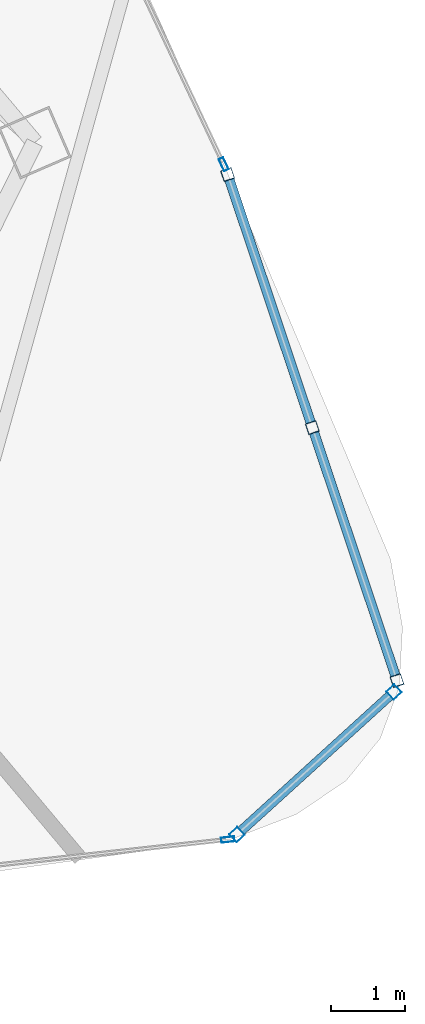
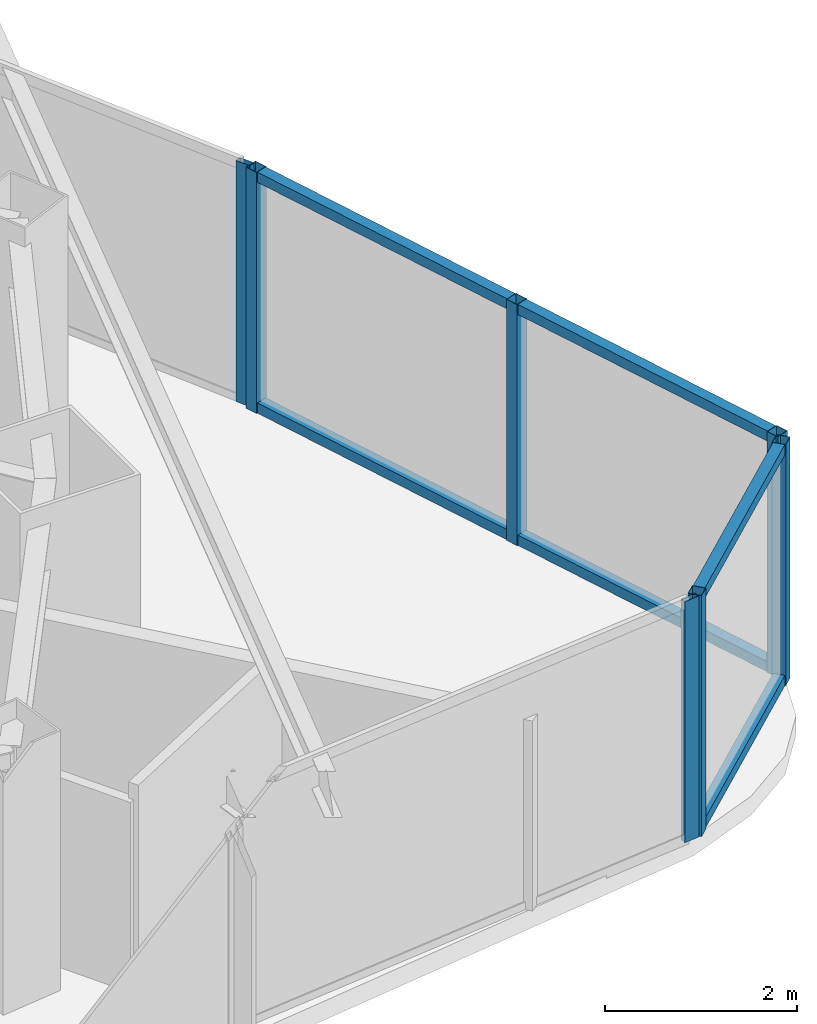
# One storey, part 15 of 31: 13 members, 4 elements without a shape of their own.
"""IFC4 building model written with IfcOpenShell, lengths in metres."""

from ifc_helpers import new_model, si_unit, direction, frame, origin, origin_2d, place, context, subcontext, project, spatial, hollow_rectangle, extrude, material, layer, layer_set, material_profile, profile_set, type_object, element, aggregate, save


model = new_model("IFC4")

# Units and contexts
model_context = context("Model", 3, precision=1e-05, world=origin(), true_north=direction((0.0, 1.0)))
body_context = subcontext(model_context, "Body", "Model", "MODEL_VIEW")
ifc_project = project(units=[si_unit("LENGTHUNIT", "METRE"), si_unit("AREAUNIT", "SQUARE_METRE"), si_unit("VOLUMEUNIT", "CUBIC_METRE"), si_unit("PLANEANGLEUNIT", "RADIAN"), si_unit("MASSUNIT", "GRAM", prefix="KILO")], contexts=[model_context])

# Site, building, storey
site_placement = place(None, origin())
site = spatial("IfcSite", under=ifc_project, at=site_placement, CompositionType="ELEMENT")
building_placement = place(site_placement, origin())
building = spatial("IfcBuilding", under=site, at=building_placement, Name="Orvanel Arch Residences", CompositionType="ELEMENT")
storey_placement = place(building_placement, frame((0.0, 0.0, 126.5)))
storey = spatial("IfcBuildingStorey", under=building, at=storey_placement, Name="L35", CompositionType="ELEMENT", Elevation=126.5)

# Curtain wall, members
ifc_material = material(Name="Bronze-anodised aluminium AA6063-T6", Category="aluminium")
ifc_layer_1 = layer(ifc_material, 0.18994140625)
ifc_layer_set_1 = layer_set([ifc_layer_1], Name="Bronze-anodised aluminium AA6063-T6")
curtain_wall_type_1 = type_object("IfcCurtainWallType", Name="CW5-CRN-SYS", PredefinedType="NOTDEFINED", material=ifc_layer_set_1)
curtain_wall_1_placement = place(storey_placement, origin())
curtain_wall_1 = element("IfcCurtainWall", 1, at=curtain_wall_1_placement, inside=storey, type_object=curtain_wall_type_1, Name="L35 CW5-CRN-SYS Unitised Curtain Wall", PredefinedType="NOTDEFINED")
ifc_material_profile_1 = material_profile(ifc_material, hollow_rectangle(XDim=0.14990234375, YDim=0.14990234375, WallThickness=0.0048828125, at=origin_2d()), Name="ALU150x150x5")
ifc_profile_set_1 = profile_set([ifc_material_profile_1], Name="Bronze-anodised aluminium AA6063-T6")
member_type_1 = type_object("IfcMemberType", Name="MUL-150x150", PredefinedType="MULLION", material=ifc_profile_set_1)
member_1_placement = place(storey_placement, frame((56.6494140625, 5.198486328125, 0.0), z_axis=(0.0, 0.0, 1.0), x_axis=(-0.672409480271, 0.740179363966, 0.0)))
member_1 = element("IfcMember", 2, at=member_1_placement, type_object=member_type_1, Name="CW-S5 mullion 1", PredefinedType="MULLION", context=body_context, shape_type="SweptSolid", body=[
    extrude(hollow_rectangle(XDim=0.14990234375, YDim=0.14990234375, WallThickness=0.0048828125, at=origin_2d()), origin(), (0.0, 0.0, 1.0), 3.06005859375),
])
member_2_placement = place(storey_placement, frame((58.777587890625, 7.131591796875, 0.0), z_axis=(0.0, 0.0, 1.0), x_axis=(-0.672409480271, 0.740179363966, 0.0)))
member_2 = element("IfcMember", 3, at=member_2_placement, type_object=member_type_1, Name="CW-S5 mullion 2", PredefinedType="MULLION", context=body_context, shape_type="SweptSolid", body=[
    extrude(hollow_rectangle(XDim=0.14990234375, YDim=0.14990234375, WallThickness=0.0048828125, at=origin_2d()), origin(), (0.0, 0.0, 1.0), 3.06005859375),
])

curtain_wall_2_placement = place(storey_placement, origin())
curtain_wall_2 = element("IfcCurtainWall", 4, at=curtain_wall_2_placement, inside=storey, type_object=curtain_wall_type_1, Name="L35 CW5-CRN-SYS Unitised Curtain Wall", PredefinedType="NOTDEFINED")
member_3_placement = place(storey_placement, frame((58.818115234375, 7.28515625, 0.0), z_axis=(0.0, 0.0, 1.0), x_axis=(-0.94830351155, -0.317364853099, 0.0)))
member_3 = element("IfcMember", 5, at=member_3_placement, type_object=member_type_1, Name="CW-S5 mullion 1", PredefinedType="MULLION", context=body_context, shape_type="SweptSolid", body=[
    extrude(hollow_rectangle(XDim=0.14990234375, YDim=0.14990234375, WallThickness=0.0048828125, at=origin_2d()), origin(), (0.0, 0.0, 1.0), 3.06005859375),
])
member_4_placement = place(storey_placement, frame((57.669921875, 10.716064453125, 0.0), z_axis=(0.0, 0.0, 1.0), x_axis=(-0.94830351155, -0.317364853099, 0.0)))
member_4 = element("IfcMember", 6, at=member_4_placement, type_object=member_type_1, Name="CW-S5 mullion 2", PredefinedType="MULLION", context=body_context, shape_type="SweptSolid", body=[
    extrude(hollow_rectangle(XDim=0.14990234375, YDim=0.14990234375, WallThickness=0.0048828125, at=origin_2d()), origin(), (0.0, 0.0, 1.0), 3.06005859375),
])
member_5_placement = place(storey_placement, frame((56.521728515625, 14.14697265625, 0.0), z_axis=(0.0, 0.0, 1.0), x_axis=(-0.94830351155, -0.317364853099, 0.0)))
member_5 = element("IfcMember", 7, at=member_5_placement, type_object=member_type_1, Name="CW-S5 mullion 3", PredefinedType="MULLION", context=body_context, shape_type="SweptSolid", body=[
    extrude(hollow_rectangle(XDim=0.14990234375, YDim=0.14990234375, WallThickness=0.0048828125, at=origin_2d()), origin(), (0.0, 0.0, 1.0), 3.06005859375),
])

# Curtain wall, member
ifc_layer_2 = layer(ifc_material, 0.179931640625)
ifc_layer_set_2 = layer_set([ifc_layer_2], Name="Bronze-anodised aluminium AA6063-T6")
curtain_wall_type_2 = type_object("IfcCurtainWallType", Name="CW3-MID-SYS", PredefinedType="NOTDEFINED", material=ifc_layer_set_2)
curtain_wall_3_placement = place(storey_placement, origin())
curtain_wall_3 = element("IfcCurtainWall", 8, at=curtain_wall_3_placement, inside=storey, type_object=curtain_wall_type_2, Name="L35 CW3-MID-SYS Unitised Curtain Wall", PredefinedType="NOTDEFINED")
ifc_material_profile_2 = material_profile(ifc_material, hollow_rectangle(XDim=0.070068359375, YDim=0.179931640625, WallThickness=0.00439453125, at=origin_2d()), Name="ALU180x70x4.5")
ifc_profile_set_2 = profile_set([ifc_material_profile_2], Name="Bronze-anodised aluminium AA6063-T6")
member_type_2 = type_object("IfcMemberType", Name="MUL-180x70", PredefinedType="MULLION", material=ifc_profile_set_2)
member_6_placement = place(storey_placement, frame((56.524169921875, 5.129150390625, 0.0), z_axis=(0.0, 0.0, 1.0), x_axis=(-0.109627687319, 0.993972721041, 0.0)))
member_6 = element("IfcMember", 9, at=member_6_placement, type_object=member_type_2, Name="CW-S3 mullion 4", PredefinedType="MULLION", context=body_context, shape_type="SweptSolid", body=[
    extrude(hollow_rectangle(XDim=0.070068359375, YDim=0.179931640625, WallThickness=0.00439453125, at=origin_2d()), origin(), (0.0, 0.0, 1.0), 3.06005859375),
])
aggregate(curtain_wall_3, [member_6])

curtain_wall_4_placement = place(storey_placement, origin())
curtain_wall_4 = element("IfcCurtainWall", 10, at=curtain_wall_4_placement, inside=storey, type_object=curtain_wall_type_2, Name="L35 CW3-MID-SYS Unitised Curtain Wall", PredefinedType="NOTDEFINED")
member_7_placement = place(storey_placement, frame((56.468017578125, 14.28662109375, 0.0), z_axis=(0.0, 0.0, 1.0), x_axis=(-0.904626023981, -0.426206237326, 0.0)))
member_7 = element("IfcMember", 11, at=member_7_placement, type_object=member_type_2, Name="CW-S3 mullion 1", PredefinedType="MULLION", context=body_context, shape_type="SweptSolid", body=[
    extrude(hollow_rectangle(XDim=0.070068359375, YDim=0.179931640625, WallThickness=0.00439453125, at=origin_2d()), origin(), (0.0, 0.0, 1.0), 3.06005859375),
])
aggregate(curtain_wall_4, [member_7])

# Member
ifc_material_profile_3 = material_profile(ifc_material, hollow_rectangle(XDim=0.1298828125, YDim=0.1298828125, WallThickness=0.00439453125, at=origin_2d()), Name="ALU130x130x4.5")
ifc_profile_set_3 = profile_set([ifc_material_profile_3], Name="Bronze-anodised aluminium AA6063-T6")
member_type_3 = type_object("IfcMemberType", Name="TRN-130x130", PredefinedType="USERDEFINED", material=ifc_profile_set_3)
member_8_placement = place(storey_placement, frame((56.705078125, 5.248779296875, 0.06494140625), z_axis=(0.740163012364, 0.672427479457, 0.0), x_axis=(-0.672427479457, 0.740163012364, 0.0)))
member_8 = element("IfcMember", 12, at=member_8_placement, type_object=member_type_3, Name="CW-S5 transom 1.1", ObjectType="TRANSOM", PredefinedType="USERDEFINED", context=body_context, shape_type="SweptSolid", body=[
    extrude(hollow_rectangle(XDim=0.1298828125, YDim=0.1298828125, WallThickness=0.00439453125, at=origin_2d()), origin(), (0.0, 0.0, 1.0), 2.724853515625),
])

member_9_placement = place(storey_placement, frame((56.705078125, 5.248779296875, 2.9951171875), z_axis=(0.740163012364, 0.672427479457, 0.0), x_axis=(-0.672427479457, 0.740163012364, 0.0)))
member_9 = element("IfcMember", 13, at=member_9_placement, type_object=member_type_3, Name="CW-S5 transom 1.2", ObjectType="TRANSOM", PredefinedType="USERDEFINED", context=body_context, shape_type="SweptSolid", body=[
    extrude(hollow_rectangle(XDim=0.1298828125, YDim=0.1298828125, WallThickness=0.00439453125, at=origin_2d()), origin(), (0.0, 0.0, 1.0), 2.724853515625),
])

aggregate(curtain_wall_1, [member_1, member_2, member_8, member_9])

member_10_placement = place(storey_placement, frame((58.79443359375, 7.356201171875, 0.06494140625), z_axis=(-0.317368034876, 0.948302446712, 0.0), x_axis=(-0.948302446712, -0.317368034876, 0.0)))
member_10 = element("IfcMember", 14, at=member_10_placement, type_object=member_type_3, Name="CW-S5 transom 1.1", ObjectType="TRANSOM", PredefinedType="USERDEFINED", context=body_context, shape_type="SweptSolid", body=[
    extrude(hollow_rectangle(XDim=0.1298828125, YDim=0.1298828125, WallThickness=0.00439453125, at=origin_2d()), origin(), (0.0, 0.0, 1.0), 3.4677734375),
])

member_11_placement = place(storey_placement, frame((58.79443359375, 7.356201171875, 2.9951171875), z_axis=(-0.317368034876, 0.948302446712, 0.0), x_axis=(-0.948302446712, -0.317368034876, 0.0)))
member_11 = element("IfcMember", 15, at=member_11_placement, type_object=member_type_3, Name="CW-S5 transom 1.2", ObjectType="TRANSOM", PredefinedType="USERDEFINED", context=body_context, shape_type="SweptSolid", body=[
    extrude(hollow_rectangle(XDim=0.1298828125, YDim=0.1298828125, WallThickness=0.00439453125, at=origin_2d()), origin(), (0.0, 0.0, 1.0), 3.4677734375),
])

member_12_placement = place(storey_placement, frame((57.646240234375, 10.787109375, 0.06494140625), z_axis=(-0.317368034876, 0.948302446712, 0.0), x_axis=(-0.948302446712, -0.317368034876, 0.0)))
member_12 = element("IfcMember", 16, at=member_12_placement, type_object=member_type_3, Name="CW-S5 transom 2.1", ObjectType="TRANSOM", PredefinedType="USERDEFINED", context=body_context, shape_type="SweptSolid", body=[
    extrude(hollow_rectangle(XDim=0.1298828125, YDim=0.1298828125, WallThickness=0.00439453125, at=origin_2d()), origin(), (0.0, 0.0, 1.0), 3.4677734375),
])

member_13_placement = place(storey_placement, frame((57.646240234375, 10.787109375, 2.9951171875), z_axis=(-0.317368034876, 0.948302446712, 0.0), x_axis=(-0.948302446712, -0.317368034876, 0.0)))
member_13 = element("IfcMember", 17, at=member_13_placement, type_object=member_type_3, Name="CW-S5 transom 2.2", ObjectType="TRANSOM", PredefinedType="USERDEFINED", context=body_context, shape_type="SweptSolid", body=[
    extrude(hollow_rectangle(XDim=0.1298828125, YDim=0.1298828125, WallThickness=0.00439453125, at=origin_2d()), origin(), (0.0, 0.0, 1.0), 3.4677734375),
])

aggregate(curtain_wall_2, [member_3, member_4, member_5, member_10, member_11, member_12, member_13])

save(model, "model.ifc")
